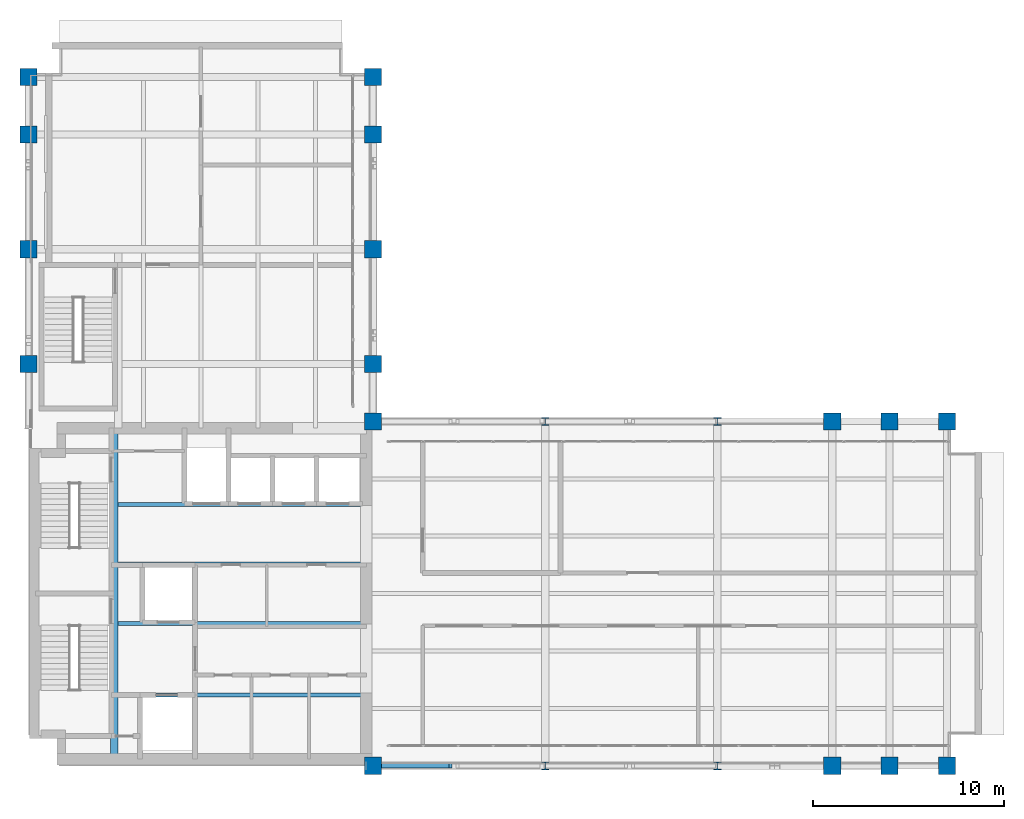
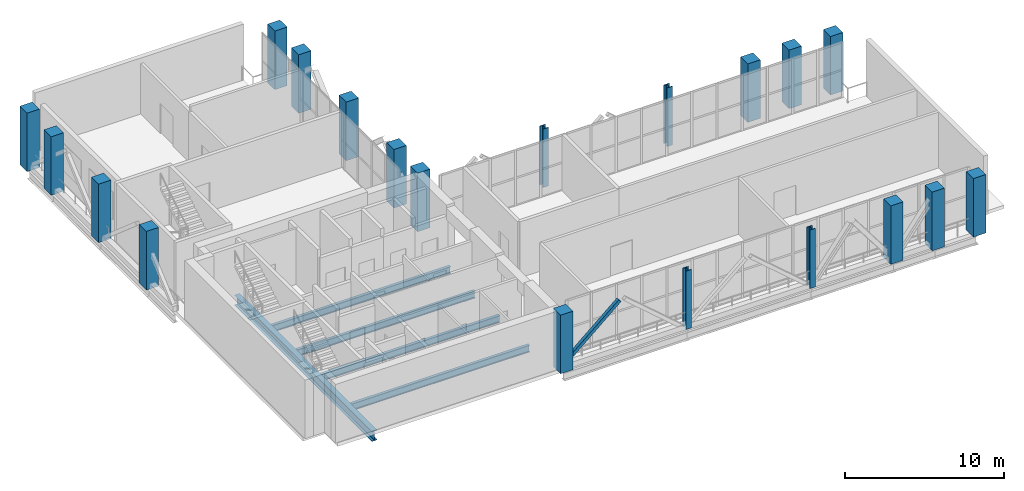
# One storey, part 1 of 26: 20 columns, 5 beams, 1 member.
"""IFC4 building model written with IfcOpenShell, lengths in metres."""

from ifc_helpers import new_model, si_unit, direction, frame, origin, origin_2d, place, context, subcontext, project, spatial, rectangle, hollow_rectangle, i_section, extrude, material, material_profile, profile_set, type_object, element, save


model = new_model("IFC4")

# Units and contexts
model_context = context("Model", 3, precision=1e-05, world=origin(), true_north=direction((0.0, 1.0)))
body_context = subcontext(model_context, "Body", "Model", "MODEL_VIEW")
ifc_project = project(units=[si_unit("LENGTHUNIT", "METRE"), si_unit("AREAUNIT", "SQUARE_METRE"), si_unit("VOLUMEUNIT", "CUBIC_METRE"), si_unit("PLANEANGLEUNIT", "RADIAN"), si_unit("MASSUNIT", "GRAM", prefix="KILO")], contexts=[model_context])

# Site, building, storey
site_placement = place(None, origin())
site = spatial("IfcSite", under=ifc_project, at=site_placement, CompositionType="ELEMENT")
building_placement = place(site_placement, origin())
building = spatial("IfcBuilding", under=site, at=building_placement, Name="Mawjdan Bourse Tower", CompositionType="ELEMENT")
storey_placement = place(building_placement, frame((0.0, 0.0, 226.800048828125)))
storey = spatial("IfcBuildingStorey", under=building, at=storey_placement, Name="L55", CompositionType="ELEMENT", Elevation=226.800048828125)

# Columns
ifc_material_1 = material(Name="Concrete C70/85", Category="concrete")
ifc_material_profile_1 = material_profile(ifc_material_1, rectangle(XDim=0.89990234375, YDim=0.89990234375, at=origin_2d()), Name="RC900X900")
ifc_profile_set_1 = profile_set([ifc_material_profile_1], Name="Concrete C70/85")
column_type_1 = type_object("IfcColumnType", Name="COL-RC900X900", PredefinedType="COLUMN", material=ifc_profile_set_1)
for number, where, z_axis, x_axis, name in (
    (1, (24.0, 3.0, 0.0), (0.0, 0.0, 1.0), (1.0, 0.0, 0.0), "L55 Structural Column C-X240-Y30"),
    (2, (24.0, 21.0, 0.0), (0.0, 0.0, 1.0), (1.0, 0.0, 0.0), "L55 Structural Column C-X240-Y210"),
    (3, (48.0, 3.0, 0.0), (0.0, 0.0, 1.0), (1.0, 0.0, 0.0), "L55 Structural Column C-X480-Y30"),
    (4, (48.0, 21.0, 0.0), (0.0, 0.0, 1.0), (1.0, 0.0, 0.0), "L55 Structural Column C-X480-Y210"),
    (5, (51.0, 3.0, 0.0), (0.0, 0.0, 1.0), (1.0, 0.0, 0.0), "L55 Structural Column C-X510-Y30"),
    (6, (51.0, 21.0, 0.0), (0.0, 0.0, 1.0), (1.0, 0.0, 0.0), "L55 Structural Column C-X510-Y210"),
    (7, (54.0, 3.0, 0.0), (0.0, 0.0, 1.0), (1.0, 0.0, 0.0), "L55 Structural Column C-X540-Y30"),
    (8, (54.0, 21.0, 0.0), (0.0, 0.0, 1.0), (1.0, 0.0, 0.0), "L55 Structural Column C-X540-Y210"),
    (9, (6.0, 24.0, 0.0), (0.0, 0.0, 1.0), (1.0, 0.0, 0.0), "L55 Structural Column C-X60-Y240"),
    (10, (24.0, 24.0, 0.0), (0.0, 0.0, 1.0), (1.0, 0.0, 0.0), "L55 Structural Column C-X240-Y240"),
    (11, (6.0, 30.0, 0.0), (0.0, 0.0, 1.0), (1.0, 0.0, 0.0), "L55 Structural Column C-X60-Y300"),
    (12, (24.0, 30.0, 0.0), (0.0, 0.0, 1.0), (1.0, 0.0, 0.0), "L55 Structural Column C-X240-Y300"),
    (13, (6.0, 36.0, 0.0), (0.0, 0.0, 1.0), (1.0, 0.0, 0.0), "L55 Structural Column C-X60-Y360"),
    (14, (24.0, 36.0, 0.0), (0.0, 0.0, 1.0), (1.0, 0.0, 0.0), "L55 Structural Column C-X240-Y360"),
    (15, (6.0, 39.0, 0.0), (0.0, 0.0, 1.0), (1.0, 0.0, 0.0), "L55 Structural Column C-X60-Y390"),
    (16, (24.0, 39.0, 0.0), (0.0, 0.0, 1.0), (1.0, 0.0, 0.0), "L55 Structural Column C-X240-Y390"),
):
    element("IfcColumn", number, at=place(storey_placement, frame(where, z_axis=z_axis, x_axis=x_axis)), inside=storey, type_object=column_type_1, Name=name, PredefinedType="COLUMN", context=body_context, shape_type="SweptSolid", body=[
        extrude(rectangle(XDim=0.89990234375, YDim=0.89990234375, at=origin_2d()), origin(), (0.0, 0.0, 1.0), 4.5),
    ])
ifc_material_2 = material(Name="Structural Steel S460", Category="steel")
ifc_material_profile_2 = material_profile(ifc_material_2, i_section(OverallWidth=0.406005859375, OverallDepth=0.416015625, WebThickness=0.02978515625, FlangeThickness=0.048095703125, FilletRadius=0.038330078125, at=origin_2d()), Name="W14X257")
ifc_profile_set_2 = profile_set([ifc_material_profile_2], Name="Structural Steel S460")
column_type_2 = type_object("IfcColumnType", Name="COL-W14X257", PredefinedType="COLUMN", material=ifc_profile_set_2)
for number, where, z_axis, x_axis, name in (
    (17, (33.0, 3.0, 0.0), (0.0, 0.0, 1.0), (1.0, 0.0, 0.0), "L55 Structural Column C-X330-Y30"),
    (18, (33.0, 21.0, 0.0), (0.0, 0.0, 1.0), (1.0, 0.0, 0.0), "L55 Structural Column C-X330-Y210"),
    (19, (42.0, 3.0, 0.0), (0.0, 0.0, 1.0), (1.0, 0.0, 0.0), "L55 Structural Column C-X420-Y30"),
    (20, (42.0, 21.0, 0.0), (0.0, 0.0, 1.0), (1.0, 0.0, 0.0), "L55 Structural Column C-X420-Y210"),
):
    element("IfcColumn", number, at=place(storey_placement, frame(where, z_axis=z_axis, x_axis=x_axis)), inside=storey, type_object=column_type_2, Name=name, PredefinedType="COLUMN", context=body_context, shape_type="SweptSolid", body=[
        extrude(i_section(OverallWidth=0.406005859375, OverallDepth=0.416015625, WebThickness=0.02978515625, FlangeThickness=0.048095703125, FilletRadius=0.038330078125, at=origin_2d()), origin(), (0.0, 0.0, 1.0), 4.5),
    ])

# Member
ifc_material_3 = material(Name="Structural Steel S355", Category="steel")
ifc_material_profile_3 = material_profile(ifc_material_3, hollow_rectangle(XDim=0.25, YDim=0.25, WallThickness=0.012451171875, at=origin_2d()), Name="HSS250X250X12.5")
ifc_profile_set_3 = profile_set([ifc_material_profile_3], Name="Structural Steel S355")
member_type = type_object("IfcMemberType", Name="BRC-HSS250X250X12.5", PredefinedType="BRACE", material=ifc_profile_set_3)
member_placement = place(storey_placement, frame((23.83349609375, 3.0, 0.199951171875), z_axis=(0.756383065472, 0.0, 0.65412893092), x_axis=(0.0, 1.0, 0.0)))
element("IfcMember", 21, at=member_placement, inside=storey, type_object=member_type, Name="L55 East Outrigger Truss 1 Diagonal 1", PredefinedType="BRACE", context=body_context, shape_type="SweptSolid", body=[
    extrude(hollow_rectangle(XDim=0.25, YDim=0.25, WallThickness=0.012451171875, at=origin_2d()), origin(), (0.0, 0.0, 1.0), 5.579833984375),
])

# Beams
ifc_material_profile_4 = material_profile(ifc_material_3, i_section(OverallWidth=0.381103515625, OverallDepth=0.77294921875, WebThickness=0.0166015625, FlangeThickness=0.027099609375, FilletRadius=0.021728515625, at=origin_2d()), Name="W30X173")
ifc_profile_set_4 = profile_set([ifc_material_profile_4], Name="Structural Steel S355")
beam_type_1 = type_object("IfcBeamType", Name="GRD-W30X173", PredefinedType="BEAM", material=ifc_profile_set_4)
beam_placement = place(storey_placement, frame((10.47998046875, 3.35009765625, -0.66650390625), z_axis=(0.0, 1.0, 0.0), x_axis=(-1.0, 0.0, 0.0)))
element("IfcBeam", 22, at=beam_placement, inside=storey, type_object=beam_type_1, Name="L55 Core Stair Trimmer Girder 001", PredefinedType="BEAM", context=body_context, shape_type="SweptSolid", body=[
    extrude(i_section(OverallWidth=0.381103515625, OverallDepth=0.77294921875, WebThickness=0.0166015625, FlangeThickness=0.027099609375, FilletRadius=0.021728515625, at=origin_2d()), origin(), (0.0, 0.0, 1.0), 17.2998046875),
])
ifc_material_profile_5 = material_profile(ifc_material_3, i_section(OverallWidth=0.2099609375, OverallDepth=0.537109375, WebThickness=0.010986328125, FlangeThickness=0.017333984375, FilletRadius=0.013916015625, at=origin_2d()), Name="W21X68")
ifc_profile_set_5 = profile_set([ifc_material_profile_5], Name="Structural Steel S355")
beam_type_2 = type_object("IfcBeamType", Name="JST-W21X68", PredefinedType="JOIST", material=ifc_profile_set_5)
for number, where, z_axis, x_axis, name in (
    (23, (10.66845703125, 6.699951171875, -0.548583984375), (1.0, 0.0, 0.0), (0.0, 1.0, 0.0), "L55 Core Floor Joist 042"),
    (24, (10.66845703125, 10.449951171875, -0.548583984375), (1.0, 0.0, 0.0), (0.0, 1.0, 0.0), "L55 Core Floor Joist 043"),
    (25, (10.66845703125, 13.550048828125, -0.548583984375), (1.0, 0.0, 0.0), (0.0, 1.0, 0.0), "L55 Core Floor Joist 044"),
    (26, (10.66845703125, 16.64990234375, -0.548583984375), (1.0, 0.0, 0.0), (0.0, 1.0, 0.0), "L55 Core Floor Joist 045"),
):
    element("IfcBeam", number, at=place(storey_placement, frame(where, z_axis=z_axis, x_axis=x_axis)), inside=storey, type_object=beam_type_2, Name=name, PredefinedType="JOIST", context=body_context, shape_type="SweptSolid", body=[
        extrude(i_section(OverallWidth=0.2099609375, OverallDepth=0.537109375, WebThickness=0.010986328125, FlangeThickness=0.017333984375, FilletRadius=0.013916015625, at=origin_2d()), origin(), (0.0, 0.0, 1.0), 12.9814453125),
    ])

save(model, "model.ifc")
